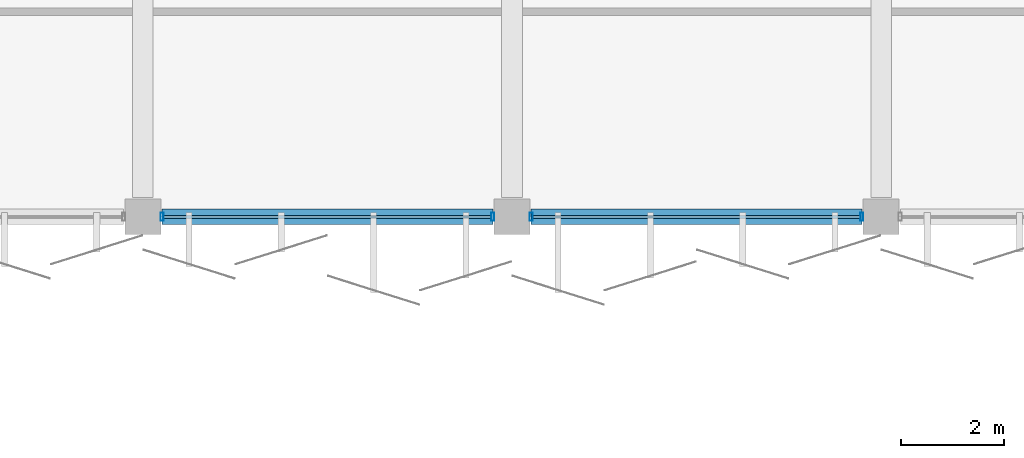
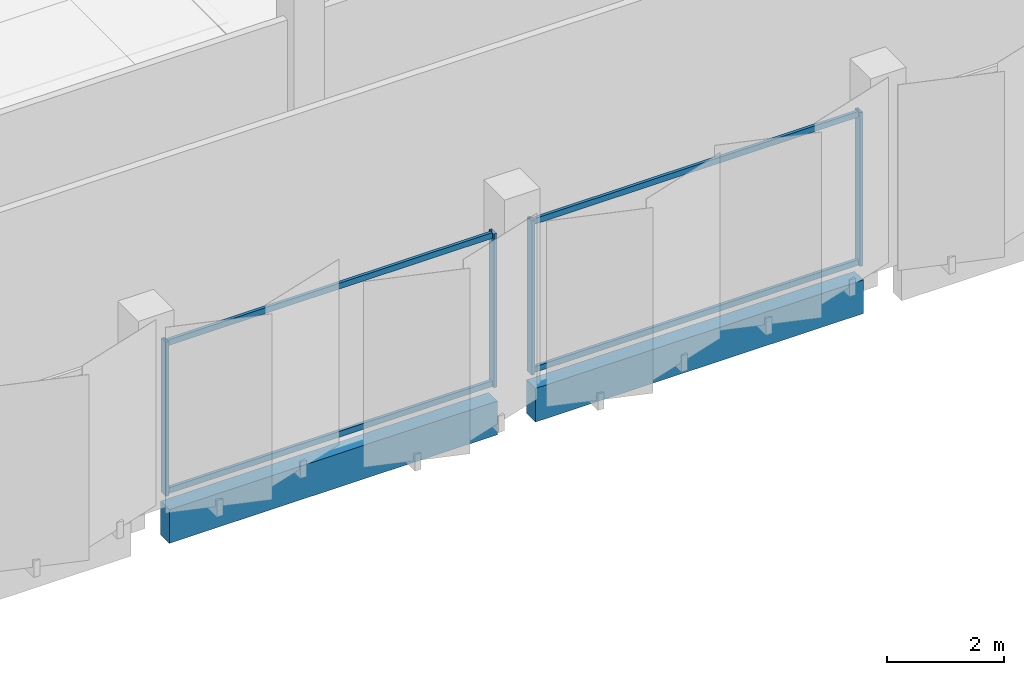
# One storey, part 44 of 107: 8 members, 2 beams, 2 elements without a shape of their own.
"""IFC4 building model written with IfcOpenShell, lengths in metres."""

from ifc_helpers import new_model, si_unit, direction, frame, origin, origin_2d, place, context, subcontext, project, spatial, rectangle, hollow_rectangle, extrude, material, layer, layer_set, material_profile, profile_set, type_object, element, aggregate, save


model = new_model("IFC4")

# Units and contexts
model_context = context("Model", 3, precision=1e-05, world=origin(), true_north=direction((0.0, 1.0)))
body_context = subcontext(model_context, "Body", "Model", "MODEL_VIEW")
ifc_project = project(units=[si_unit("LENGTHUNIT", "METRE"), si_unit("AREAUNIT", "SQUARE_METRE"), si_unit("VOLUMEUNIT", "CUBIC_METRE"), si_unit("PLANEANGLEUNIT", "RADIAN"), si_unit("MASSUNIT", "GRAM", prefix="KILO")], contexts=[model_context])

# Site, building, storey
site_placement = place(None, origin())
site = spatial("IfcSite", under=ifc_project, at=site_placement, CompositionType="ELEMENT")
building_placement = place(site_placement, origin())
building = spatial("IfcBuilding", under=site, at=building_placement, Name="Kangsadwip Square Police Headquarters", CompositionType="ELEMENT")
storey_placement = place(building_placement, frame((0.0, 0.0, 5.39990234375)))
storey = spatial("IfcBuildingStorey", under=building, at=storey_placement, Name="L01", CompositionType="ELEMENT", Elevation=5.39990234375)

# Curtain wall, members
ifc_material_1 = material(Name="Thermally broken anodised aluminium AW-6063-T6", Category="aluminium")
ifc_layer = layer(ifc_material_1, 0.159912109375)
ifc_layer_set = layer_set([ifc_layer], Name="Thermally broken anodised aluminium AW-6063-T6")
curtain_wall_type = type_object("IfcCurtainWallType", Name="CourtScreen6510x3200", PredefinedType="USERDEFINED", material=ifc_layer_set)
curtain_wall_1_placement = place(storey_placement, origin())
curtain_wall_1 = element("IfcCurtainWall", 1, at=curtain_wall_1_placement, inside=storey, type_object=curtain_wall_type, Name="Curtain Wall CW-L01-1083-0936", ObjectType="GLAZED_SCREEN", PredefinedType="USERDEFINED")
ifc_material_2 = material(Name="Thermally broken anodised aluminium AW-6063-T6", Category="aluminium")
ifc_material_profile_1 = material_profile(ifc_material_2, hollow_rectangle(XDim=0.06005859375, YDim=0.159912109375, WallThickness=0.00390625, at=origin_2d()), Name="CWM 160X60X4")
ifc_profile_set_1 = profile_set([ifc_material_profile_1], Name="Thermally broken anodised aluminium AW-6063-T6")
member_type_1 = type_object("IfcMemberType", Name="CwMullion135x60", PredefinedType="MULLION", material=ifc_profile_set_1)
member_1_placement = place(storey_placement, frame((108.375, 93.60009765625, 0.0), z_axis=(0.0, 0.0, 1.0), x_axis=(1.0, 0.0, 0.0)))
member_1 = element("IfcMember", 2, at=member_1_placement, type_object=member_type_1, Name="CW-19 mullion 1", PredefinedType="MULLION", context=body_context, shape_type="SweptSolid", body=[
    extrude(hollow_rectangle(XDim=0.06005859375, YDim=0.159912109375, WallThickness=0.00390625, at=origin_2d()), origin(), (0.0, 0.0, 1.0), 3.2001953125),
])
member_2_placement = place(storey_placement, frame((114.824951171875, 93.60009765625, 0.0), z_axis=(0.0, 0.0, 1.0), x_axis=(1.0, 0.0, 0.0)))
member_2 = element("IfcMember", 3, at=member_2_placement, type_object=member_type_1, Name="CW-19 mullion 2", PredefinedType="MULLION", context=body_context, shape_type="SweptSolid", body=[
    extrude(hollow_rectangle(XDim=0.06005859375, YDim=0.159912109375, WallThickness=0.00390625, at=origin_2d()), origin(), (0.0, 0.0, 1.0), 3.2001953125),
])

curtain_wall_2_placement = place(storey_placement, origin())
curtain_wall_2 = element("IfcCurtainWall", 4, at=curtain_wall_2_placement, inside=storey, type_object=curtain_wall_type, Name="Curtain Wall CW-L01-1155-0936", ObjectType="GLAZED_SCREEN", PredefinedType="USERDEFINED")
member_3_placement = place(storey_placement, frame((115.574951171875, 93.60009765625, 0.0), z_axis=(0.0, 0.0, 1.0), x_axis=(1.0, 0.0, 0.0)))
member_3 = element("IfcMember", 5, at=member_3_placement, type_object=member_type_1, Name="CW-19 mullion 1", PredefinedType="MULLION", context=body_context, shape_type="SweptSolid", body=[
    extrude(hollow_rectangle(XDim=0.06005859375, YDim=0.159912109375, WallThickness=0.00390625, at=origin_2d()), origin(), (0.0, 0.0, 1.0), 3.2001953125),
])
member_4_placement = place(storey_placement, frame((122.02490234375, 93.60009765625, 0.0), z_axis=(0.0, 0.0, 1.0), x_axis=(1.0, 0.0, 0.0)))
member_4 = element("IfcMember", 6, at=member_4_placement, type_object=member_type_1, Name="CW-19 mullion 2", PredefinedType="MULLION", context=body_context, shape_type="SweptSolid", body=[
    extrude(hollow_rectangle(XDim=0.06005859375, YDim=0.159912109375, WallThickness=0.00390625, at=origin_2d()), origin(), (0.0, 0.0, 1.0), 3.2001953125),
])

# Member
ifc_material_3 = material(Name="Thermally broken anodised aluminium AW-6063-T6", Category="aluminium")
ifc_material_profile_2 = material_profile(ifc_material_3, hollow_rectangle(XDim=0.06005859375, YDim=0.1201171875, WallThickness=0.00390625, at=origin_2d()), Name="CWT 120X60X4")
ifc_profile_set_2 = profile_set([ifc_material_profile_2], Name="Thermally broken anodised aluminium AW-6063-T6")
member_type_2 = type_object("IfcMemberType", Name="CwTransom120x55", PredefinedType="USERDEFINED", material=ifc_profile_set_2)
member_5_placement = place(storey_placement, frame((108.405029296875, 93.60009765625, 0.06005859375), z_axis=(1.0, 0.0, 0.0), x_axis=(0.0, 1.0, 0.0)))
member_5 = element("IfcMember", 7, at=member_5_placement, type_object=member_type_2, Name="CW-19 transom 1.1", ObjectType="TRANSOM", PredefinedType="USERDEFINED", context=body_context, shape_type="SweptSolid", body=[
    extrude(hollow_rectangle(XDim=0.06005859375, YDim=0.1201171875, WallThickness=0.00390625, at=origin_2d()), origin(), (0.0, 0.0, 1.0), 6.389892578125),
])

member_6_placement = place(storey_placement, frame((108.405029296875, 93.60009765625, 3.14013671875), z_axis=(1.0, 0.0, 0.0), x_axis=(0.0, 1.0, 0.0)))
member_6 = element("IfcMember", 8, at=member_6_placement, type_object=member_type_2, Name="CW-19 transom 1.2", ObjectType="TRANSOM", PredefinedType="USERDEFINED", context=body_context, shape_type="SweptSolid", body=[
    extrude(hollow_rectangle(XDim=0.06005859375, YDim=0.1201171875, WallThickness=0.00390625, at=origin_2d()), origin(), (0.0, 0.0, 1.0), 6.389892578125),
])

aggregate(curtain_wall_1, [member_1, member_2, member_5, member_6])

member_7_placement = place(storey_placement, frame((115.60498046875, 93.60009765625, 0.06005859375), z_axis=(1.0, 0.0, 0.0), x_axis=(0.0, 1.0, 0.0)))
member_7 = element("IfcMember", 9, at=member_7_placement, type_object=member_type_2, Name="CW-19 transom 1.1", ObjectType="TRANSOM", PredefinedType="USERDEFINED", context=body_context, shape_type="SweptSolid", body=[
    extrude(hollow_rectangle(XDim=0.06005859375, YDim=0.1201171875, WallThickness=0.00390625, at=origin_2d()), origin(), (0.0, 0.0, 1.0), 6.39013671875),
])

member_8_placement = place(storey_placement, frame((115.60498046875, 93.60009765625, 3.14013671875), z_axis=(1.0, 0.0, 0.0), x_axis=(0.0, 1.0, 0.0)))
member_8 = element("IfcMember", 10, at=member_8_placement, type_object=member_type_2, Name="CW-19 transom 1.2", ObjectType="TRANSOM", PredefinedType="USERDEFINED", context=body_context, shape_type="SweptSolid", body=[
    extrude(hollow_rectangle(XDim=0.06005859375, YDim=0.1201171875, WallThickness=0.00390625, at=origin_2d()), origin(), (0.0, 0.0, 1.0), 6.39013671875),
])

aggregate(curtain_wall_2, [member_3, member_4, member_7, member_8])

# Beams
ifc_material_4 = material(Name="Concrete M40 (40 MPa)", Category="concrete")
ifc_material_profile_3 = material_profile(ifc_material_4, rectangle(XDim=0.300048828125, YDim=0.699951171875, at=origin_2d()), Name="RC SPN 700X300")
ifc_profile_set_3 = profile_set([ifc_material_profile_3], Name="Concrete M40 (40 MPa)")
beam_type = type_object("IfcBeamType", Name="RcSpandrel700x300", PredefinedType="SPANDREL", material=ifc_profile_set_3)
for number, where, z_axis, x_axis, name in (
    (11, (108.375, 93.60009765625, -0.58984375), (1.0, 0.0, 0.0), (0.0, 1.0, 0.0), "Beam BM-L01-X-15-13"),
    (12, (115.574951171875, 93.60009765625, -0.58984375), (1.0, 0.0, 0.0), (0.0, 1.0, 0.0), "Beam BM-L01-X-16-13"),
):
    element("IfcBeam", number, at=place(storey_placement, frame(where, z_axis=z_axis, x_axis=x_axis)), inside=storey, type_object=beam_type, Name=name, PredefinedType="SPANDREL", context=body_context, shape_type="SweptSolid", body=[
        extrude(rectangle(XDim=0.300048828125, YDim=0.699951171875, at=origin_2d()), origin(), (0.0, 0.0, 1.0), 6.449951171875),
    ])

save(model, "model.ifc")
